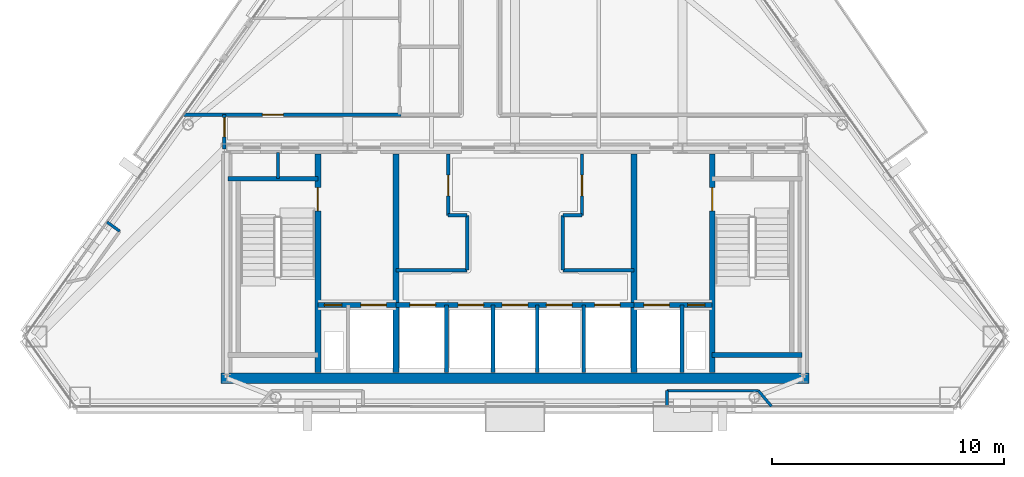
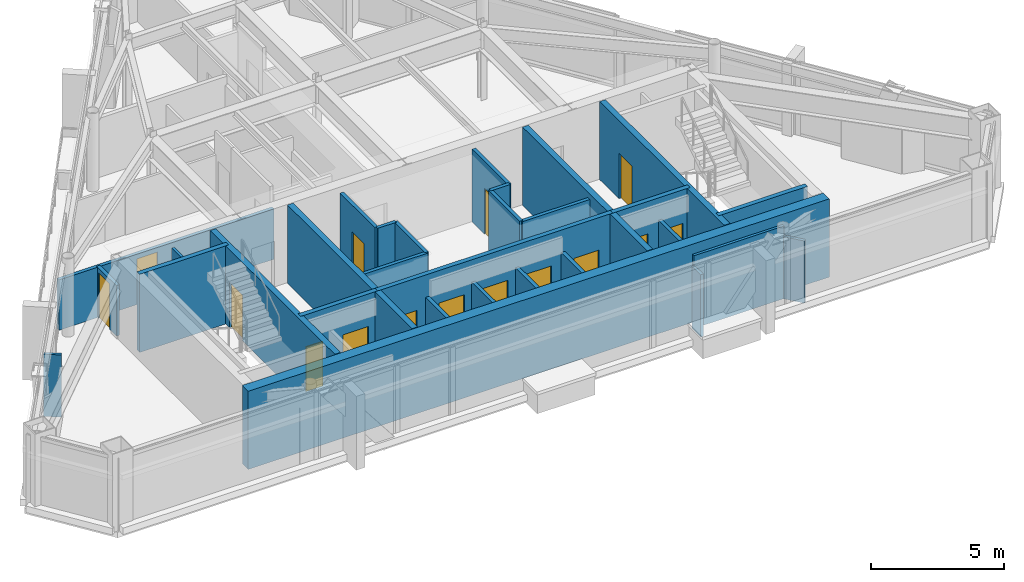
# One storey, part 8 of 12: 30 walls, 15 doors, 15 openings.
"""IFC4 building model written with IfcOpenShell, lengths in metres."""

from ifc_helpers import new_model, si_unit, direction, frame, frame_2d, origin, place, context, subcontext, project, spatial, rectangle, extrude, material, layer, layer_set, type_object, element, fill, save


model = new_model("IFC4")

# Units and contexts
model_context = context("Model", 3, precision=1e-05, world=origin(), true_north=direction((0.0, 1.0)))
body_context = subcontext(model_context, "Body", "Model", "MODEL_VIEW")
ifc_project = project(units=[si_unit("LENGTHUNIT", "METRE"), si_unit("AREAUNIT", "SQUARE_METRE"), si_unit("VOLUMEUNIT", "CUBIC_METRE"), si_unit("PLANEANGLEUNIT", "RADIAN"), si_unit("MASSUNIT", "GRAM", prefix="KILO")], contexts=[model_context])

# Site, building, storey
site_placement = place(None, origin())
site = spatial("IfcSite", under=ifc_project, at=site_placement, CompositionType="ELEMENT")
building_placement = place(site_placement, origin())
building = spatial("IfcBuilding", under=site, at=building_placement, Name="Talgorran Terracotta Tower", CompositionType="ELEMENT")
storey_placement = place(building_placement, frame((0.0, 0.0, 270.60009765625)))
storey = spatial("IfcBuildingStorey", under=building, at=storey_placement, Name="L71", CompositionType="ELEMENT", Elevation=270.60009765625)

# Walls
ifc_material_1 = material(Name="Concrete C50/60", Category="concrete")
ifc_layer_1 = layer(ifc_material_1, 0.199951171875, Name="WT_CORE_200")
ifc_layer_set_1 = layer_set([ifc_layer_1], Name="Concrete C50/60")
wall_type_1 = type_object("IfcWallType", Name="WT_CORE_200", PredefinedType="SOLIDWALL", material=ifc_layer_set_1)
for number, where, z_axis, x_axis, name in (
    (1, (-12.35009765625, -5.52001953125, 0.0), (0.0, 0.0, 1.0), (1.0, 0.0, 0.0), "WL-L71-CW-ST1-N"),
    (2, (8.47998046875, -13.10009765625, 0.0), (0.0, 0.0, 1.0), (1.0, 0.0, 0.0), "WL-L71-CW-ST2-S"),
):
    element("IfcWall", number, at=place(storey_placement, frame(where, z_axis=z_axis, x_axis=x_axis)), inside=storey, type_object=wall_type_1, Name=name, PredefinedType="SOLIDWALL", context=body_context, shape_type="SweptSolid", body=[
        extrude(rectangle(XDim=3.8701171875, YDim=0.199951171875, at=frame_2d((1.93505859375, 0.0))), origin(), (0.0, 0.0, 1.0), 3.599853515625),
    ])

# Wall, openings, doors
wall_1_placement = place(storey_placement, frame((-8.47998046875, -10.949951171875, 0.0), z_axis=(0.0, 0.0, 1.0), x_axis=(1.0, 0.0, 0.0)))
wall_1 = element("IfcWall", 3, at=wall_1_placement, inside=storey, type_object=wall_type_1, Name="WL-L71-CW-H-SBW", PredefinedType="SOLIDWALL", context=body_context, shape_type="SweptSolid", body=[
    extrude(rectangle(XDim=3.35986328125, YDim=0.199951171875, at=frame_2d((1.679931640625, 0.0))), origin(), (0.0, 0.0, 1.0), 3.599853515625),
])
opening_1_placement = place(wall_1_placement, frame((0.280029296875, 0.0, 0.0)))
opening_1 = element("IfcOpeningElement", 4, at=opening_1_placement, cuts=wall_1, Name="Opening DR-RSW", PredefinedType="OPENING", context=body_context, shape_type="SweptSolid", body=[
    extrude(rectangle(XDim=0.756, YDim=2.054048828125, at=frame_2d((0.375, 1.027099609375))), frame((0.0, 0.10986328125, 0.0), z_axis=(0.0, -1.0, 0.0), x_axis=(1.0, 0.0, 0.0)), (0.0, 0.0, 1.0), 0.219970703125),
])
opening_2_placement = place(wall_1_placement, frame((1.85009765625, 0.0, 0.0)))
opening_2 = element("IfcOpeningElement", 5, at=opening_2_placement, cuts=wall_1, Name="Opening LD-FFL1", PredefinedType="OPENING", context=body_context, shape_type="SweptSolid", body=[
    extrude(rectangle(XDim=1.10609765625, YDim=2.10409765625, at=frame_2d((0.550048828125, 1.052001953125))), frame((0.0, 0.10986328125, 0.0), z_axis=(0.0, -1.0, 0.0), x_axis=(1.0, 0.0, 0.0)), (0.0, 0.0, 1.0), 0.219970703125),
])
ifc_material_2 = material(Name="Brushed Stainless Steel Grade 304", Category="steel")
door_type_1 = type_object("IfcDoorType", Name="DT_LIFT_LD1100", OperationType="DOUBLE_DOOR_SLIDING", PredefinedType="DOOR", material=ifc_material_2)
door_1_placement = place(opening_2_placement, origin())
door_1 = element("IfcDoor", 6, at=door_1_placement, inside=storey, type_object=door_type_1, Name="L71 Lift Landing Door LD-FFL1", OperationType="DOUBLE_DOOR_SLIDING", OverallHeight=2.10009765625, OverallWidth=1.10009765625, PredefinedType="DOOR", context=body_context, shape_type="SweptSolid", body=[
    extrude(rectangle(XDim=1.10009765625, YDim=2.10009765625, at=frame_2d((0.550048828125, 1.050048828125))), frame((0.0, 0.02490234375, 0.0), z_axis=(0.0, -1.0, 0.0), x_axis=(1.0, 0.0, 0.0)), (0.0, 0.0, 1.0), 0.050048828125),
])
fill(opening_2, door_1)
ifc_material_3 = material(Name="Fire-Rated Pressed Steel", Category="steel")
door_type_2 = type_object("IfcDoorType", Name="DT_RISER_750", OperationType="NOTDEFINED", PredefinedType="DOOR", material=ifc_material_3)
door_2_placement = place(opening_1_placement, origin())
door_2 = element("IfcDoor", 7, at=door_2_placement, inside=storey, type_object=door_type_2, Name="DR-RSW", OperationType="SINGLE_SWING_LEFT", OverallHeight=2.050048828125, OverallWidth=0.75, PredefinedType="DOOR", context=body_context, shape_type="SweptSolid", body=[
    extrude(rectangle(XDim=0.75, YDim=2.050048828125, at=frame_2d((0.375, 1.02490234375))), frame((0.0, 0.02490234375, 0.0), z_axis=(0.0, -1.0, 0.0), x_axis=(1.0, 0.0, 0.0)), (0.0, 0.0, 1.0), 0.050048828125),
])
fill(opening_1, door_2)

wall_2_placement = place(storey_placement, frame((-5.1201171875, -10.949951171875, 0.0), z_axis=(0.0, 0.0, 1.0), x_axis=(1.0, 0.0, 0.0)))
wall_2 = element("IfcWall", 8, at=wall_2_placement, inside=storey, type_object=wall_type_1, Name="WL-L71-CW-H-SBC", PredefinedType="SOLIDWALL", context=body_context, shape_type="SweptSolid", body=[
    extrude(rectangle(XDim=10.240234375, YDim=0.199951171875, at=frame_2d((5.1201171875, 0.0))), origin(), (0.0, 0.0, 1.0), 3.599853515625),
])
opening_3_placement = place(wall_2_placement, frame((0.60009765625, 0.0, 0.0)))
opening_3 = element("IfcOpeningElement", 9, at=opening_3_placement, cuts=wall_2, Name="Opening LD-OB1", PredefinedType="OPENING", context=body_context, shape_type="SweptSolid", body=[
    extrude(rectangle(XDim=1.10609765625, YDim=2.10409765625, at=frame_2d((0.550048828125, 1.052001953125))), frame((0.0, 0.10986328125, 0.0), z_axis=(0.0, -1.0, 0.0), x_axis=(1.0, 0.0, 0.0)), (0.0, 0.0, 1.0), 0.219970703125),
])
opening_4_placement = place(wall_2_placement, frame((2.669921875, 0.0, 0.0)))
opening_4 = element("IfcOpeningElement", 10, at=opening_4_placement, cuts=wall_2, Name="Opening LD-PLH1", PredefinedType="OPENING", context=body_context, shape_type="SweptSolid", body=[
    extrude(rectangle(XDim=1.10609765625, YDim=2.10409765625, at=frame_2d((0.550048828125, 1.052001953125))), frame((0.0, 0.10986328125, 0.0), z_axis=(0.0, -1.0, 0.0), x_axis=(1.0, 0.0, 0.0)), (0.0, 0.0, 1.0), 0.219970703125),
])
opening_5_placement = place(wall_2_placement, frame((4.570068359375, 0.0, 0.0)))
opening_5 = element("IfcOpeningElement", 11, at=opening_5_placement, cuts=wall_2, Name="Opening LD-PLH2", PredefinedType="OPENING", context=body_context, shape_type="SweptSolid", body=[
    extrude(rectangle(XDim=1.10609765625, YDim=2.10409765625, at=frame_2d((0.550048828125, 1.052001953125))), frame((0.0, 0.10986328125, 0.0), z_axis=(0.0, -1.0, 0.0), x_axis=(1.0, 0.0, 0.0)), (0.0, 0.0, 1.0), 0.219970703125),
])
opening_6_placement = place(wall_2_placement, frame((6.469970703125, 0.0, 0.0)))
opening_6 = element("IfcOpeningElement", 12, at=opening_6_placement, cuts=wall_2, Name="Opening LD-PLH3", PredefinedType="OPENING", context=body_context, shape_type="SweptSolid", body=[
    extrude(rectangle(XDim=1.10609765625, YDim=2.10409765625, at=frame_2d((0.550048828125, 1.052001953125))), frame((0.0, 0.10986328125, 0.0), z_axis=(0.0, -1.0, 0.0), x_axis=(1.0, 0.0, 0.0)), (0.0, 0.0, 1.0), 0.219970703125),
])
opening_7_placement = place(wall_2_placement, frame((8.5400390625, 0.0, 0.0)))
opening_7 = element("IfcOpeningElement", 13, at=opening_7_placement, cuts=wall_2, Name="Opening LD-SVL1", PredefinedType="OPENING", context=body_context, shape_type="SweptSolid", body=[
    extrude(rectangle(XDim=1.10609765625, YDim=2.10409765625, at=frame_2d((0.550048828125, 1.052001953125))), frame((0.0, 0.10986328125, 0.0), z_axis=(0.0, -1.0, 0.0), x_axis=(1.0, 0.0, 0.0)), (0.0, 0.0, 1.0), 0.219970703125),
])
door_3_placement = place(opening_3_placement, origin())
door_3 = element("IfcDoor", 14, at=door_3_placement, inside=storey, type_object=door_type_1, Name="L71 Lift Landing Door LD-OB1", OperationType="DOUBLE_DOOR_SLIDING", OverallHeight=2.10009765625, OverallWidth=1.10009765625, PredefinedType="DOOR", context=body_context, shape_type="SweptSolid", body=[
    extrude(rectangle(XDim=1.10009765625, YDim=2.10009765625, at=frame_2d((0.550048828125, 1.050048828125))), frame((0.0, 0.02490234375, 0.0), z_axis=(0.0, -1.0, 0.0), x_axis=(1.0, 0.0, 0.0)), (0.0, 0.0, 1.0), 0.050048828125),
])
fill(opening_3, door_3)
door_4_placement = place(opening_4_placement, origin())
door_4 = element("IfcDoor", 15, at=door_4_placement, inside=storey, type_object=door_type_1, Name="L71 Lift Landing Door LD-PLH1", OperationType="DOUBLE_DOOR_SLIDING", OverallHeight=2.10009765625, OverallWidth=1.10009765625, PredefinedType="DOOR", context=body_context, shape_type="SweptSolid", body=[
    extrude(rectangle(XDim=1.10009765625, YDim=2.10009765625, at=frame_2d((0.550048828125, 1.050048828125))), frame((0.0, 0.02490234375, 0.0), z_axis=(0.0, -1.0, 0.0), x_axis=(1.0, 0.0, 0.0)), (0.0, 0.0, 1.0), 0.050048828125),
])
fill(opening_4, door_4)
door_5_placement = place(opening_5_placement, origin())
door_5 = element("IfcDoor", 16, at=door_5_placement, inside=storey, type_object=door_type_1, Name="L71 Lift Landing Door LD-PLH2", OperationType="DOUBLE_DOOR_SLIDING", OverallHeight=2.10009765625, OverallWidth=1.10009765625, PredefinedType="DOOR", context=body_context, shape_type="SweptSolid", body=[
    extrude(rectangle(XDim=1.10009765625, YDim=2.10009765625, at=frame_2d((0.550048828125, 1.050048828125))), frame((0.0, 0.02490234375, 0.0), z_axis=(0.0, -1.0, 0.0), x_axis=(1.0, 0.0, 0.0)), (0.0, 0.0, 1.0), 0.050048828125),
])
fill(opening_5, door_5)
door_6_placement = place(opening_6_placement, origin())
door_6 = element("IfcDoor", 17, at=door_6_placement, inside=storey, type_object=door_type_1, Name="L71 Lift Landing Door LD-PLH3", OperationType="DOUBLE_DOOR_SLIDING", OverallHeight=2.10009765625, OverallWidth=1.10009765625, PredefinedType="DOOR", context=body_context, shape_type="SweptSolid", body=[
    extrude(rectangle(XDim=1.10009765625, YDim=2.10009765625, at=frame_2d((0.550048828125, 1.050048828125))), frame((0.0, 0.02490234375, 0.0), z_axis=(0.0, -1.0, 0.0), x_axis=(1.0, 0.0, 0.0)), (0.0, 0.0, 1.0), 0.050048828125),
])
fill(opening_6, door_6)
door_7_placement = place(opening_7_placement, origin())
door_7 = element("IfcDoor", 18, at=door_7_placement, inside=storey, type_object=door_type_1, Name="L71 Lift Landing Door LD-SVL1", OperationType="DOUBLE_DOOR_SLIDING", OverallHeight=2.10009765625, OverallWidth=1.10009765625, PredefinedType="DOOR", context=body_context, shape_type="SweptSolid", body=[
    extrude(rectangle(XDim=1.10009765625, YDim=2.10009765625, at=frame_2d((0.550048828125, 1.050048828125))), frame((0.0, 0.02490234375, 0.0), z_axis=(0.0, -1.0, 0.0), x_axis=(1.0, 0.0, 0.0)), (0.0, 0.0, 1.0), 0.050048828125),
])
fill(opening_7, door_7)

wall_3_placement = place(storey_placement, frame((5.1201171875, -10.949951171875, 0.0), z_axis=(0.0, 0.0, 1.0), x_axis=(1.0, 0.0, 0.0)))
wall_3 = element("IfcWall", 19, at=wall_3_placement, inside=storey, type_object=wall_type_1, Name="WL-L71-CW-H-SBE", PredefinedType="SOLIDWALL", context=body_context, shape_type="SweptSolid", body=[
    extrude(rectangle(XDim=3.35986328125, YDim=0.199951171875, at=frame_2d((1.679931640625, 0.0))), origin(), (0.0, 0.0, 1.0), 3.599853515625),
])
opening_8_placement = place(wall_3_placement, frame((0.419921875, 0.0, 0.0)))
opening_8 = element("IfcOpeningElement", 20, at=opening_8_placement, cuts=wall_3, Name="Opening LD-FFL2", PredefinedType="OPENING", context=body_context, shape_type="SweptSolid", body=[
    extrude(rectangle(XDim=1.10609765625, YDim=2.10409765625, at=frame_2d((0.550048828125, 1.052001953125))), frame((0.0, 0.10986328125, 0.0), z_axis=(0.0, -1.0, 0.0), x_axis=(1.0, 0.0, 0.0)), (0.0, 0.0, 1.0), 0.219970703125),
])
opening_9_placement = place(wall_3_placement, frame((2.300048828125, 0.0, 0.0)))
opening_9 = element("IfcOpeningElement", 21, at=opening_9_placement, cuts=wall_3, Name="Opening DR-RSE", PredefinedType="OPENING", context=body_context, shape_type="SweptSolid", body=[
    extrude(rectangle(XDim=0.756, YDim=2.054048828125, at=frame_2d((0.375, 1.027099609375))), frame((0.0, 0.10986328125, 0.0), z_axis=(0.0, -1.0, 0.0), x_axis=(1.0, 0.0, 0.0)), (0.0, 0.0, 1.0), 0.219970703125),
])
door_8_placement = place(opening_8_placement, origin())
door_8 = element("IfcDoor", 22, at=door_8_placement, inside=storey, type_object=door_type_1, Name="L71 Lift Landing Door LD-FFL2", OperationType="DOUBLE_DOOR_SLIDING", OverallHeight=2.10009765625, OverallWidth=1.10009765625, PredefinedType="DOOR", context=body_context, shape_type="SweptSolid", body=[
    extrude(rectangle(XDim=1.10009765625, YDim=2.10009765625, at=frame_2d((0.550048828125, 1.050048828125))), frame((0.0, 0.02490234375, 0.0), z_axis=(0.0, -1.0, 0.0), x_axis=(1.0, 0.0, 0.0)), (0.0, 0.0, 1.0), 0.050048828125),
])
fill(opening_8, door_8)
door_9_placement = place(opening_9_placement, origin())
door_9 = element("IfcDoor", 23, at=door_9_placement, inside=storey, type_object=door_type_2, Name="DR-RSE", OperationType="SINGLE_SWING_RIGHT", OverallHeight=2.050048828125, OverallWidth=0.75, PredefinedType="DOOR", context=body_context, shape_type="SweptSolid", body=[
    extrude(rectangle(XDim=0.75, YDim=2.050048828125, at=frame_2d((0.375, 1.02490234375))), frame((0.0, 0.02490234375, 0.0), z_axis=(0.0, -1.0, 0.0), x_axis=(1.0, 0.0, 0.0)), (0.0, 0.0, 1.0), 0.050048828125),
])
fill(opening_9, door_9)

# Wall, opening, door
ifc_layer_2 = layer(ifc_material_1, 0.25, Name="WT_CORE_250")
ifc_layer_set_2 = layer_set([ifc_layer_2], Name="Concrete C50/60")
wall_type_2 = type_object("IfcWallType", Name="WT_CORE_250", PredefinedType="SHEAR", material=ifc_layer_set_2)
wall_4_placement = place(storey_placement, frame((-8.47998046875, -13.85009765625, 0.0), z_axis=(0.0, 0.0, 1.0), x_axis=(0.0, 1.0, 0.0)))
wall_4 = element("IfcWall", 24, at=wall_4_placement, inside=storey, type_object=wall_type_2, Name="WL-L71-CW-V-W1", PredefinedType="SHEAR", context=body_context, shape_type="SweptSolid", body=[
    extrude(rectangle(XDim=9.400146484375, YDim=0.25, at=frame_2d((4.7001953125, 0.0))), origin(), (0.0, 0.0, 1.0), 3.599853515625),
])
opening_10_placement = place(wall_4_placement, frame((6.949951171875, 0.0, 0.0)))
opening_10 = element("IfcOpeningElement", 25, at=opening_10_placement, cuts=wall_4, Name="Opening DR-ST01", PredefinedType="OPENING", context=body_context, shape_type="SweptSolid", body=[
    extrude(rectangle(XDim=1.006, YDim=2.10409765625, at=frame_2d((0.5, 1.052001953125))), frame((0.0, 0.135009765625, 0.0), z_axis=(0.0, -1.0, 0.0), x_axis=(1.0, 0.0, 0.0)), (0.0, 0.0, 1.0), 0.27001953125),
])
door_type_3 = type_object("IfcDoorType", Name="DT_FIRE_1000", OperationType="NOTDEFINED", PredefinedType="DOOR", material=ifc_material_3)
door_10_placement = place(opening_10_placement, origin())
door_10 = element("IfcDoor", 26, at=door_10_placement, inside=storey, type_object=door_type_3, Name="DR-ST01", OperationType="SINGLE_SWING_LEFT", OverallHeight=2.10009765625, OverallWidth=1.0, PredefinedType="DOOR", context=body_context, shape_type="SweptSolid", body=[
    extrude(rectangle(XDim=1.0, YDim=2.10009765625, at=frame_2d((0.5, 1.050048828125))), frame((0.0, 0.02490234375, 0.0), z_axis=(0.0, -1.0, 0.0), x_axis=(1.0, 0.0, 0.0)), (0.0, 0.0, 1.0), 0.050048828125),
])
fill(opening_10, door_10)

wall_5_placement = place(storey_placement, frame((8.47998046875, -13.85009765625, 0.0), z_axis=(0.0, 0.0, 1.0), x_axis=(0.0, 1.0, 0.0)))
wall_5 = element("IfcWall", 27, at=wall_5_placement, inside=storey, type_object=wall_type_2, Name="WL-L71-CW-V-E1", PredefinedType="SHEAR", context=body_context, shape_type="SweptSolid", body=[
    extrude(rectangle(XDim=9.400146484375, YDim=0.25, at=frame_2d((4.7001953125, 0.0))), origin(), (0.0, 0.0, 1.0), 3.599853515625),
])
opening_11_placement = place(wall_5_placement, frame((6.949951171875, 0.0, 0.0)))
opening_11 = element("IfcOpeningElement", 28, at=opening_11_placement, cuts=wall_5, Name="Opening DR-ST02", PredefinedType="OPENING", context=body_context, shape_type="SweptSolid", body=[
    extrude(rectangle(XDim=1.006, YDim=2.10409765625, at=frame_2d((0.5, 1.052001953125))), frame((0.0, 0.135009765625, 0.0), z_axis=(0.0, -1.0, 0.0), x_axis=(1.0, 0.0, 0.0)), (0.0, 0.0, 1.0), 0.27001953125),
])
door_11_placement = place(opening_11_placement, origin())
door_11 = element("IfcDoor", 29, at=door_11_placement, inside=storey, type_object=door_type_3, Name="DR-ST02", OperationType="SINGLE_SWING_RIGHT", OverallHeight=2.10009765625, OverallWidth=1.0, PredefinedType="DOOR", context=body_context, shape_type="SweptSolid", body=[
    extrude(rectangle(XDim=1.0, YDim=2.10009765625, at=frame_2d((0.5, 1.050048828125))), frame((0.0, 0.02490234375, 0.0), z_axis=(0.0, -1.0, 0.0), x_axis=(1.0, 0.0, 0.0)), (0.0, 0.0, 1.0), 0.050048828125),
])
fill(opening_11, door_11)

# Walls
for number, where, z_axis, x_axis, name in (
    (30, (-5.1201171875, -13.85009765625, 0.0), (0.0, 0.0, 1.0), (0.0, 1.0, 0.0), "WL-L71-CW-V-W2"),
    (31, (5.1201171875, -13.85009765625, 0.0), (0.0, 0.0, 1.0), (0.0, 1.0, 0.0), "WL-L71-CW-V-E2"),
):
    element("IfcWall", number, at=place(storey_placement, frame(where, z_axis=z_axis, x_axis=x_axis)), inside=storey, type_object=wall_type_2, Name=name, PredefinedType="SHEAR", context=body_context, shape_type="SweptSolid", body=[
        extrude(rectangle(XDim=9.400146484375, YDim=0.25, at=frame_2d((4.7001953125, 0.0))), origin(), (0.0, 0.0, 1.0), 3.599853515625),
    ])
ifc_material_4 = material(Name="Concrete C65/80", Category="concrete")
ifc_layer_3 = layer(ifc_material_4, 0.449951171875, Name="WT_CORE_EXT")
ifc_layer_set_3 = layer_set([ifc_layer_3], Name="Concrete C65/80")
wall_type_3 = type_object("IfcWallType", Name="WT_CORE_EXT", PredefinedType="SHEAR", material=ifc_layer_set_3)
wall_6_placement = place(storey_placement, frame((-12.64990234375, -14.10009765625, 0.0), z_axis=(0.0, 0.0, 1.0), x_axis=(1.0, 0.0, 0.0)))
element("IfcWall", 32, at=wall_6_placement, inside=storey, type_object=wall_type_3, Name="WL-L71-CW-OUT-S", PredefinedType="SHEAR", context=body_context, shape_type="SweptSolid", body=[
    extrude(rectangle(XDim=25.2998046875, YDim=0.449951171875, at=frame_2d((12.64990234375, 0.0))), origin(), (0.0, 0.0, 1.0), 3.599853515625),
])
ifc_material_5 = material(Name="Fire-Rated Steel Stud Plasterboard", Category="steel")
ifc_layer_4 = layer(ifc_material_5, 0.14990234375, Name="WT_FIRE_150")
ifc_layer_set_4 = layer_set([ifc_layer_4], Name="Fire-Rated Steel Stud Plasterboard")
wall_type_4 = type_object("IfcWallType", Name="WT_FIRE_150", PredefinedType="PARTITIONING", material=ifc_layer_set_4)
wall_7_placement = place(storey_placement, frame((-5.1201171875, -9.449951171875, 0.0), z_axis=(0.0, 0.0, 1.0), x_axis=(1.0, 0.0, 0.0)))
element("IfcWall", 33, at=wall_7_placement, inside=storey, type_object=wall_type_4, Name="WL-L71-CW-H-W4N", PredefinedType="PARTITIONING", context=body_context, shape_type="SweptSolid", body=[
    extrude(rectangle(XDim=3.06005859375, YDim=0.14990234375, at=frame_2d((1.530029296875, 0.0))), origin(), (0.0, 0.0, 1.0), 3.344970703125),
])
wall_8_placement = place(storey_placement, frame((-2.06005859375, -9.449951171875, 0.0), z_axis=(0.0, 0.0, 1.0), x_axis=(0.0, 1.0, 0.0)))
element("IfcWall", 34, at=wall_8_placement, inside=storey, type_object=wall_type_4, Name="WL-L71-CW-V-W3S2", PredefinedType="PARTITIONING", context=body_context, shape_type="SweptSolid", body=[
    extrude(rectangle(XDim=2.349853515625, YDim=0.14990234375, at=frame_2d((1.1748046875, 0.0))), origin(), (0.0, 0.0, 1.0), 3.344970703125),
])
wall_9_placement = place(storey_placement, frame((-2.8798828125, -7.10009765625, 0.0), z_axis=(0.0, 0.0, 1.0), x_axis=(1.0, 0.0, 0.0)))
element("IfcWall", 35, at=wall_9_placement, inside=storey, type_object=wall_type_4, Name="WL-L71-CW-H-W3M2", PredefinedType="PARTITIONING", context=body_context, shape_type="SweptSolid", body=[
    extrude(rectangle(XDim=0.81982421875, YDim=0.14990234375, at=frame_2d((0.409912109375, 0.0))), origin(), (0.0, 0.0, 1.0), 3.344970703125),
])

# Wall, opening, door
wall_10_placement = place(storey_placement, frame((-2.8798828125, -7.10009765625, 0.0), z_axis=(0.0, 0.0, 1.0), x_axis=(0.0, 1.0, 0.0)))
wall_10 = element("IfcWall", 36, at=wall_10_placement, inside=storey, type_object=wall_type_4, Name="WL-L71-CW-V-W3N", PredefinedType="PARTITIONING", context=body_context, shape_type="SweptSolid", body=[
    extrude(rectangle(XDim=2.650146484375, YDim=0.14990234375, at=frame_2d((1.3251953125, 0.0))), origin(), (0.0, 0.0, 1.0), 3.344970703125),
])
opening_12_placement = place(wall_10_placement, frame((0.85009765625, 0.0, 0.0)))
opening_12 = element("IfcOpeningElement", 37, at=opening_12_placement, cuts=wall_10, Name="Opening DR-FRPLL-B", PredefinedType="OPENING", context=body_context, shape_type="SweptSolid", body=[
    extrude(rectangle(XDim=0.8858828125, YDim=2.10409765625, at=frame_2d((0.43994140625, 1.052001953125))), frame((0.0, 0.0849609375, 0.0), z_axis=(0.0, -1.0, 0.0), x_axis=(1.0, 0.0, 0.0)), (0.0, 0.0, 1.0), 0.169921875),
])
ifc_material_6 = material(Name="Solid-Core Painted Timber", Category="wood")
door_type_4 = type_object("IfcDoorType", Name="DT_INT_880", OperationType="NOTDEFINED", PredefinedType="DOOR", material=ifc_material_6)
door_12_placement = place(opening_12_placement, origin())
door_12 = element("IfcDoor", 38, at=door_12_placement, inside=storey, type_object=door_type_4, Name="DR-FRPLL-B", OperationType="SINGLE_SWING_LEFT", OverallHeight=2.10009765625, OverallWidth=0.8798828125, PredefinedType="DOOR", context=body_context, shape_type="SweptSolid", body=[
    extrude(rectangle(XDim=0.8798828125, YDim=2.10009765625, at=frame_2d((0.43994140625, 1.050048828125))), frame((0.0, 0.02490234375, 0.0), z_axis=(0.0, -1.0, 0.0), x_axis=(1.0, 0.0, 0.0)), (0.0, 0.0, 1.0), 0.050048828125),
])
fill(opening_12, door_12)

# Walls
wall_11_placement = place(storey_placement, frame((2.06005859375, -9.449951171875, 0.0), z_axis=(0.0, 0.0, 1.0), x_axis=(1.0, 0.0, 0.0)))
element("IfcWall", 39, at=wall_11_placement, inside=storey, type_object=wall_type_4, Name="WL-L71-CW-H-E4N", PredefinedType="PARTITIONING", context=body_context, shape_type="SweptSolid", body=[
    extrude(rectangle(XDim=3.06005859375, YDim=0.14990234375, at=frame_2d((1.530029296875, 0.0))), origin(), (0.0, 0.0, 1.0), 3.344970703125),
])
wall_12_placement = place(storey_placement, frame((2.06005859375, -9.449951171875, 0.0), z_axis=(0.0, 0.0, 1.0), x_axis=(0.0, 1.0, 0.0)))
element("IfcWall", 40, at=wall_12_placement, inside=storey, type_object=wall_type_4, Name="WL-L71-CW-V-E3S2", PredefinedType="PARTITIONING", context=body_context, shape_type="SweptSolid", body=[
    extrude(rectangle(XDim=2.349853515625, YDim=0.14990234375, at=frame_2d((1.1748046875, 0.0))), origin(), (0.0, 0.0, 1.0), 3.344970703125),
])
wall_13_placement = place(storey_placement, frame((2.06005859375, -7.10009765625, 0.0), z_axis=(0.0, 0.0, 1.0), x_axis=(1.0, 0.0, 0.0)))
element("IfcWall", 41, at=wall_13_placement, inside=storey, type_object=wall_type_4, Name="WL-L71-CW-H-E3M2", PredefinedType="PARTITIONING", context=body_context, shape_type="SweptSolid", body=[
    extrude(rectangle(XDim=0.81982421875, YDim=0.14990234375, at=frame_2d((0.409912109375, 0.0))), origin(), (0.0, 0.0, 1.0), 3.344970703125),
])

# Wall, opening, door
wall_14_placement = place(storey_placement, frame((2.8798828125, -7.10009765625, 0.0), z_axis=(0.0, 0.0, 1.0), x_axis=(0.0, 1.0, 0.0)))
wall_14 = element("IfcWall", 42, at=wall_14_placement, inside=storey, type_object=wall_type_4, Name="WL-L71-CW-V-E3N", PredefinedType="PARTITIONING", context=body_context, shape_type="SweptSolid", body=[
    extrude(rectangle(XDim=2.650146484375, YDim=0.14990234375, at=frame_2d((1.3251953125, 0.0))), origin(), (0.0, 0.0, 1.0), 3.344970703125),
])
opening_13_placement = place(wall_14_placement, frame((0.85009765625, 0.0, 0.0)))
opening_13 = element("IfcOpeningElement", 43, at=opening_13_placement, cuts=wall_14, Name="Opening DR-FRPLM-B", PredefinedType="OPENING", context=body_context, shape_type="SweptSolid", body=[
    extrude(rectangle(XDim=0.8858828125, YDim=2.10409765625, at=frame_2d((0.43994140625, 1.052001953125))), frame((0.0, 0.0849609375, 0.0), z_axis=(0.0, -1.0, 0.0), x_axis=(1.0, 0.0, 0.0)), (0.0, 0.0, 1.0), 0.169921875),
])
door_13_placement = place(opening_13_placement, origin())
door_13 = element("IfcDoor", 44, at=door_13_placement, inside=storey, type_object=door_type_4, Name="DR-FRPLM-B", OperationType="SINGLE_SWING_RIGHT", OverallHeight=2.10009765625, OverallWidth=0.8798828125, PredefinedType="DOOR", context=body_context, shape_type="SweptSolid", body=[
    extrude(rectangle(XDim=0.8798828125, YDim=2.10009765625, at=frame_2d((0.43994140625, 1.050048828125))), frame((0.0, 0.02490234375, 0.0), z_axis=(0.0, -1.0, 0.0), x_axis=(1.0, 0.0, 0.0)), (0.0, 0.0, 1.0), 0.050048828125),
])
fill(opening_13, door_13)

wall_15_placement = place(storey_placement, frame((-14.251220703125, -2.760009765625, 0.0), z_axis=(0.0, 0.0, 1.0), x_axis=(1.0, 0.0, 0.0)))
wall_15 = element("IfcWall", 45, at=wall_15_placement, inside=storey, type_object=wall_type_4, Name="WL-L71-W-L71-R06", PredefinedType="PARTITIONING", context=body_context, shape_type="SweptSolid", body=[
    extrude(rectangle(XDim=9.351318359375, YDim=0.14990234375, at=frame_2d((4.67578125, 0.0))), origin(), (0.0, 0.0, 1.0), 2.31982421875),
])
opening_14_placement = place(wall_15_placement, frame((3.386474609375, 0.0, 0.0)))
opening_14 = element("IfcOpeningElement", 46, at=opening_14_placement, cuts=wall_15, Name="Opening DR-L71-R05", PredefinedType="OPENING", context=body_context, shape_type="SweptSolid", body=[
    extrude(rectangle(XDim=0.90590234375, YDim=2.10409765625, at=frame_2d((0.449951171875, 1.052001953125))), frame((0.0, 0.0849609375, 0.0), z_axis=(0.0, -1.0, 0.0), x_axis=(1.0, 0.0, 0.0)), (0.0, 0.0, 1.0), 0.169921875),
])
ifc_material_7 = material(Name="Fire-Rated Timber Core", Category="wood")
door_type_5 = type_object("IfcDoorType", Name="DT_FIRE_900", OperationType="NOTDEFINED", PredefinedType="DOOR", material=ifc_material_7)
door_14_placement = place(opening_14_placement, origin())
door_14 = element("IfcDoor", 47, at=door_14_placement, inside=storey, type_object=door_type_5, Name="DR-L71-R05", OperationType="SINGLE_SWING_LEFT", OverallHeight=2.10009765625, OverallWidth=0.89990234375, PredefinedType="DOOR", context=body_context, shape_type="SweptSolid", body=[
    extrude(rectangle(XDim=0.89990234375, YDim=2.10009765625, at=frame_2d((0.449951171875, 1.050048828125))), frame((0.0, 0.02490234375, 0.0), z_axis=(0.0, -1.0, 0.0), x_axis=(1.0, 0.0, 0.0)), (0.0, 0.0, 1.0), 0.050048828125),
])
fill(opening_14, door_14)

wall_16_placement = place(storey_placement, frame((-12.5, -4.239990234375, 0.0), z_axis=(0.0, 0.0, 1.0), x_axis=(0.0, 1.0, 0.0)))
wall_16 = element("IfcWall", 48, at=wall_16_placement, inside=storey, type_object=wall_type_4, Name="WL-L71-W-L71-R01", PredefinedType="PARTITIONING", context=body_context, shape_type="SweptSolid", body=[
    extrude(rectangle(XDim=1.47998046875, YDim=0.14990234375, at=frame_2d((0.739990234375, 0.0))), origin(), (0.0, 0.0, 1.0), 2.31982421875),
])
opening_15_placement = place(wall_16_placement, frame((0.521728515625, 0.0, 0.0)))
opening_15 = element("IfcOpeningElement", 49, at=opening_15_placement, cuts=wall_16, Name="Opening DR-L71-R01", PredefinedType="OPENING", context=body_context, shape_type="SweptSolid", body=[
    extrude(rectangle(XDim=0.826068359375, YDim=2.10409765625, at=frame_2d((0.41015625, 1.052001953125))), frame((0.0, 0.0849609375, 0.0), z_axis=(0.0, -1.0, 0.0), x_axis=(1.0, 0.0, 0.0)), (0.0, 0.0, 1.0), 0.169921875),
])
ifc_material_8 = material(Name="Moisture-Resistant Solid Timber", Category="wood")
door_type_6 = type_object("IfcDoorType", Name="DT_INT_820", OperationType="NOTDEFINED", PredefinedType="DOOR", material=ifc_material_8)
door_15_placement = place(opening_15_placement, origin())
door_15 = element("IfcDoor", 50, at=door_15_placement, inside=storey, type_object=door_type_6, Name="DR-L71-R01", OperationType="SINGLE_SWING_LEFT", OverallHeight=2.10009765625, OverallWidth=0.820068359375, PredefinedType="DOOR", context=body_context, shape_type="SweptSolid", body=[
    extrude(rectangle(XDim=0.820068359375, YDim=2.10009765625, at=frame_2d((0.41015625, 1.050048828125))), frame((0.0, 0.02490234375, 0.0), z_axis=(0.0, -1.0, 0.0), x_axis=(1.0, 0.0, 0.0)), (0.0, 0.0, 1.0), 0.050048828125),
])
fill(opening_15, door_15)

# Walls
ifc_material_9 = material(Name="Insulated Steel Stud Plasterboard", Category="steel")
ifc_layer_5 = layer(ifc_material_9, 0.1201171875, Name="WT_PART_120")
ifc_layer_set_5 = layer_set([ifc_layer_5], Name="Insulated Steel Stud Plasterboard")
wall_type_5 = type_object("IfcWallType", Name="WT_PART_120", PredefinedType="PARTITIONING", material=ifc_layer_set_5)
wall_17_placement = place(storey_placement, frame((-10.199951171875, -5.52001953125, 0.0), z_axis=(0.0, 0.0, 1.0), x_axis=(0.0, 1.0, 0.0)))
element("IfcWall", 51, at=wall_17_placement, inside=storey, type_object=wall_type_5, Name="WL-L71-CW-CSW-DIV", PredefinedType="PARTITIONING", context=body_context, shape_type="SweptSolid", body=[
    extrude(rectangle(XDim=1.1201171875, YDim=0.1201171875, at=frame_2d((0.56005859375, 0.0))), origin(), (0.0, 0.0, 1.0), 3.344970703125),
])
wall_18_placement = place(storey_placement, frame((6.541748046875, -14.638916015625, 0.0), z_axis=(0.0, 0.0, 1.0), x_axis=(1.0, 0.0, 0.0)))
element("IfcWall", 52, at=wall_18_placement, inside=storey, type_object=wall_type_5, Name="WL-L71-BW-L71-06", PredefinedType="PARTITIONING", context=body_context, shape_type="SweptSolid", body=[
    extrude(rectangle(XDim=3.926025390625, YDim=0.1201171875, at=frame_2d((1.962890625, 0.0))), origin(), (0.0, 0.0, 1.0), 3.344970703125),
])
wall_19_placement = place(storey_placement, frame((10.4677734375, -14.638916015625, 0.0), z_axis=(0.0, 0.0, 1.0), x_axis=(0.642543514204, -0.766249197295, 0.0)))
element("IfcWall", 53, at=wall_19_placement, inside=storey, type_object=wall_type_5, Name="WL-L71-BW-L71-04", PredefinedType="PARTITIONING", context=body_context, shape_type="SweptSolid", body=[
    extrude(rectangle(XDim=0.874267578125, YDim=0.1201171875, at=frame_2d((0.43701171875, 0.0))), origin(), (0.0, 0.0, 1.0), 2.86279296875),
])
for number, where, z_axis, x_axis, name in (
    (54, (-17.547607421875, -7.38623046875, 0.0), (0.0, 0.0, 1.0), (0.813265440227, -0.581892879947, 0.0), "WL-L71-BW-L71-07"),
    (55, (6.541748046875, -15.308837890625, 0.0), (0.0, 0.0, 1.0), (0.0, 1.0, 0.0), "WL-L71-BW-L71-05"),
):
    element("IfcWall", number, at=place(storey_placement, frame(where, z_axis=z_axis, x_axis=x_axis)), inside=storey, type_object=wall_type_5, Name=name, PredefinedType="PARTITIONING", context=body_context, shape_type="SweptSolid", body=[
        extrude(rectangle(XDim=0.669921875, YDim=0.1201171875, at=frame_2d((0.3349609375, 0.0))), origin(), (0.0, 0.0, 1.0), 2.86279296875),
    ])
ifc_material_10 = material(Name="Fire-Rated Shaftwall")
ifc_layer_6 = layer(ifc_material_10, 0.159912109375, Name="WT_PART_150")
ifc_layer_set_6 = layer_set([ifc_layer_6], Name="Fire-Rated Shaftwall")
wall_type_6 = type_object("IfcWallType", Name="WT_PART_150", PredefinedType="PARTITIONING", material=ifc_layer_set_6)
for number, where, z_axis, x_axis, name in (
    (56, (7.179931640625, -13.85009765625, 0.0), (0.0, 0.0, 1.0), (0.0, 1.0, 0.0), "WL-L71-CW-RSE"),
    (57, (-2.949951171875, -13.85009765625, 0.0), (0.0, 0.0, 1.0), (0.0, 1.0, 0.0), "WL-L71-CW-OB-E"),
    (58, (2.949951171875, -13.85009765625, 0.0), (0.0, 0.0, 1.0), (0.0, 1.0, 0.0), "WL-L71-CW-SV-W"),
    (59, (-0.949951171875, -13.85009765625, 0.0), (0.0, 0.0, 1.0), (0.0, 1.0, 0.0), "WL-L71-CW-PLH-D1"),
    (60, (0.949951171875, -13.85009765625, 0.0), (0.0, 0.0, 1.0), (0.0, 1.0, 0.0), "WL-L71-CW-PLH-D2"),
):
    element("IfcWall", number, at=place(storey_placement, frame(where, z_axis=z_axis, x_axis=x_axis)), inside=storey, type_object=wall_type_6, Name=name, PredefinedType="PARTITIONING", context=body_context, shape_type="SweptSolid", body=[
        extrude(rectangle(XDim=2.900146484375, YDim=0.159912109375, at=frame_2d((1.4501953125, 0.0))), origin(), (0.0, 0.0, 1.0), 2.56982421875),
    ])

save(model, "model.ifc")
